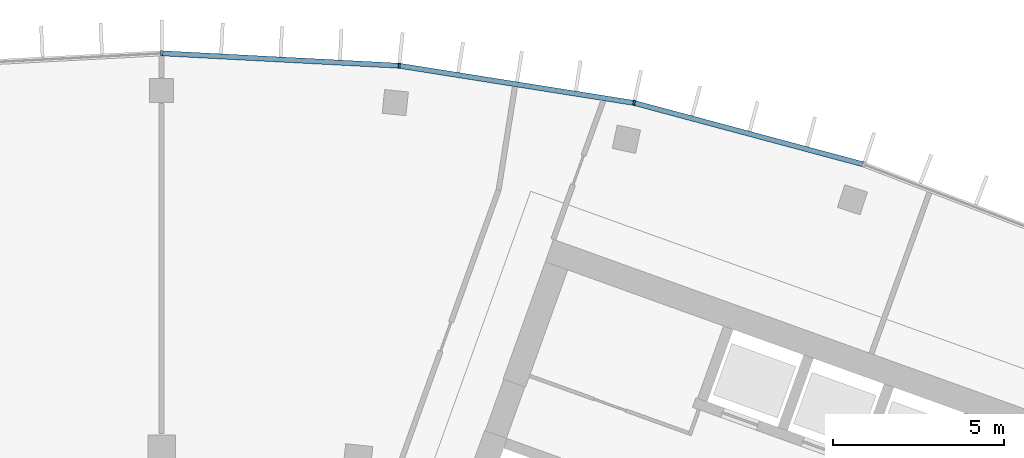
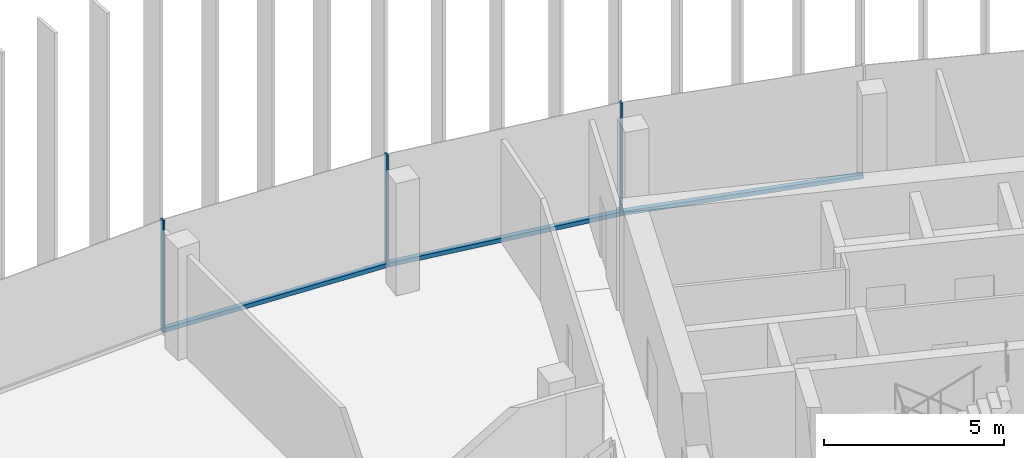
# One storey, part 7 of 19: 6 members, 1 element without a shape of its own.
"""IFC4 building model written with IfcOpenShell, lengths in metres."""

from ifc_helpers import new_model, si_unit, direction, frame, origin, origin_2d, place, context, subcontext, project, spatial, rectangle, extrude, material, layer, layer_set, material_profile, profile_set, type_object, element, aggregate, save


model = new_model("IFC4")

# Units and contexts
model_context = context("Model", 3, precision=1e-05, world=origin(), true_north=direction((0.0, 1.0)))
body_context = subcontext(model_context, "Body", "Model", "MODEL_VIEW")
ifc_project = project(units=[si_unit("LENGTHUNIT", "METRE"), si_unit("AREAUNIT", "SQUARE_METRE"), si_unit("VOLUMEUNIT", "CUBIC_METRE"), si_unit("PLANEANGLEUNIT", "RADIAN"), si_unit("MASSUNIT", "GRAM", prefix="KILO")], contexts=[model_context])

# Site, building, storey
site_placement = place(None, origin())
site = spatial("IfcSite", under=ifc_project, at=site_placement, CompositionType="ELEMENT")
building_placement = place(site_placement, origin())
building = spatial("IfcBuilding", under=site, at=building_placement, Name="Stone Belt Terrace Tower", CompositionType="ELEMENT")
storey_placement = place(building_placement, frame((0.0, 0.0, 258.0)))
storey = spatial("IfcBuildingStorey", under=building, at=storey_placement, Name="L62", CompositionType="ELEMENT", Elevation=258.0)

# Curtain wall, members
ifc_material = material(Name="Aluminium 6063-T6 anodised frame", Category="aluminium")
ifc_layer = layer(ifc_material, 0.14990234375)
ifc_layer_set = layer_set([ifc_layer], Name="CW-A unitised convex-face curtain wall")
curtain_wall_type = type_object("IfcCurtainWallType", Name="CW-A unitised convex-face curtain wall", PredefinedType="NOTDEFINED", material=ifc_layer_set)
curtain_wall_placement = place(storey_placement, origin())
curtain_wall = element("IfcCurtainWall", 1, at=curtain_wall_placement, inside=storey, type_object=curtain_wall_type, Name="CW-A convex face L62", PredefinedType="NOTDEFINED")
ifc_material_profile_1 = material_profile(ifc_material, rectangle(XDim=0.14990234375, YDim=0.06005859375, at=origin_2d()), Name="Aluminium 6063-T6 60x150")
ifc_profile_set_1 = profile_set([ifc_material_profile_1], Name="Aluminium 6063-T6 anodised frame")
member_type_1 = type_object("IfcMemberType", Name="CW-A mullion 60 x 150", PredefinedType="MULLION", material=ifc_profile_set_1)
member_1_placement = place(storey_placement, frame((13.841796875, 65.120361328125, 0.0), z_axis=(0.0, 0.0, 1.0), x_axis=(-0.207911690818, -0.978147600734, 0.0)))
member_1 = element("IfcMember", 2, at=member_1_placement, type_object=member_type_1, Name="CW-A mullion 6", PredefinedType="MULLION", context=body_context, shape_type="SweptSolid", body=[
    extrude(rectangle(XDim=0.14990234375, YDim=0.06005859375, at=origin_2d()), origin(), (0.0, 0.0, 1.0), 3.800048828125),
])
member_2_placement = place(storey_placement, frame((6.958984375, 66.21044921875, 0.0), z_axis=(0.0, 0.0, 1.0), x_axis=(-0.104528463268, -0.994521895368, 0.0)))
member_2 = element("IfcMember", 3, at=member_2_placement, type_object=member_type_1, Name="CW-A mullion 7", PredefinedType="MULLION", context=body_context, shape_type="SweptSolid", body=[
    extrude(rectangle(XDim=0.14990234375, YDim=0.06005859375, at=origin_2d()), origin(), (0.0, 0.0, 1.0), 3.800048828125),
])
member_3_placement = place(storey_placement, frame((0.0, 66.5751953125, 0.0), z_axis=(0.0, 0.0, 1.0), x_axis=(0.0, -1.0, 0.0)))
member_3 = element("IfcMember", 4, at=member_3_placement, type_object=member_type_1, Name="CW-A mullion 8", PredefinedType="MULLION", context=body_context, shape_type="SweptSolid", body=[
    extrude(rectangle(XDim=0.14990234375, YDim=0.06005859375, at=origin_2d()), origin(), (0.0, 0.0, 1.0), 3.800048828125),
])
ifc_material_profile_2 = material_profile(ifc_material, rectangle(XDim=0.14990234375, YDim=0.139892578125, at=origin_2d()), Name="Aluminium 6063-T6 150x140")
ifc_profile_set_2 = profile_set([ifc_material_profile_2], Name="Aluminium 6063-T6 anodised frame")
member_type_2 = type_object("IfcMemberType", Name="CW-A transom 140 x 150", PredefinedType="USERDEFINED", material=ifc_profile_set_2)
member_4_placement = place(storey_placement, frame((20.5400390625, 63.325439453125, 0.070068359375), z_axis=(-0.965921835863, 0.258833937117, 0.0), x_axis=(-0.258833937117, -0.965921835863, 0.0)))
member_4 = element("IfcMember", 5, at=member_4_placement, type_object=member_type_2, Name="CW-A transom 5.1", ObjectType="TRANSOM", PredefinedType="USERDEFINED", context=body_context, shape_type="SweptSolid", body=[
    extrude(rectangle(XDim=0.14990234375, YDim=0.139892578125, at=origin_2d()), origin(), (0.0, 0.0, 1.0), 6.900634765625),
])
member_5_placement = place(storey_placement, frame((13.808349609375, 65.12548828125, 0.070068359375), z_axis=(-0.987687120531, 0.156442168027, 0.0), x_axis=(-0.156442168027, -0.987687120531, 0.0)))
member_5 = element("IfcMember", 6, at=member_5_placement, type_object=member_type_2, Name="CW-A transom 6.1", ObjectType="TRANSOM", PredefinedType="USERDEFINED", context=body_context, shape_type="SweptSolid", body=[
    extrude(rectangle(XDim=0.14990234375, YDim=0.139892578125, at=origin_2d()), origin(), (0.0, 0.0, 1.0), 6.90087890625),
])
member_6_placement = place(storey_placement, frame((6.925048828125, 66.212158203125, 0.070068359375), z_axis=(-0.998630019135, 0.052326712899, 0.0), x_axis=(-0.052326712899, -0.998630019135, 0.0)))
member_6 = element("IfcMember", 7, at=member_6_placement, type_object=member_type_2, Name="CW-A transom 7.1", ObjectType="TRANSOM", PredefinedType="USERDEFINED", context=body_context, shape_type="SweptSolid", body=[
    extrude(rectangle(XDim=0.14990234375, YDim=0.139892578125, at=origin_2d()), origin(), (0.0, 0.0, 1.0), 6.900634765625),
])
aggregate(curtain_wall, [member_1, member_2, member_3, member_4, member_5, member_6])

save(model, "model.ifc")
